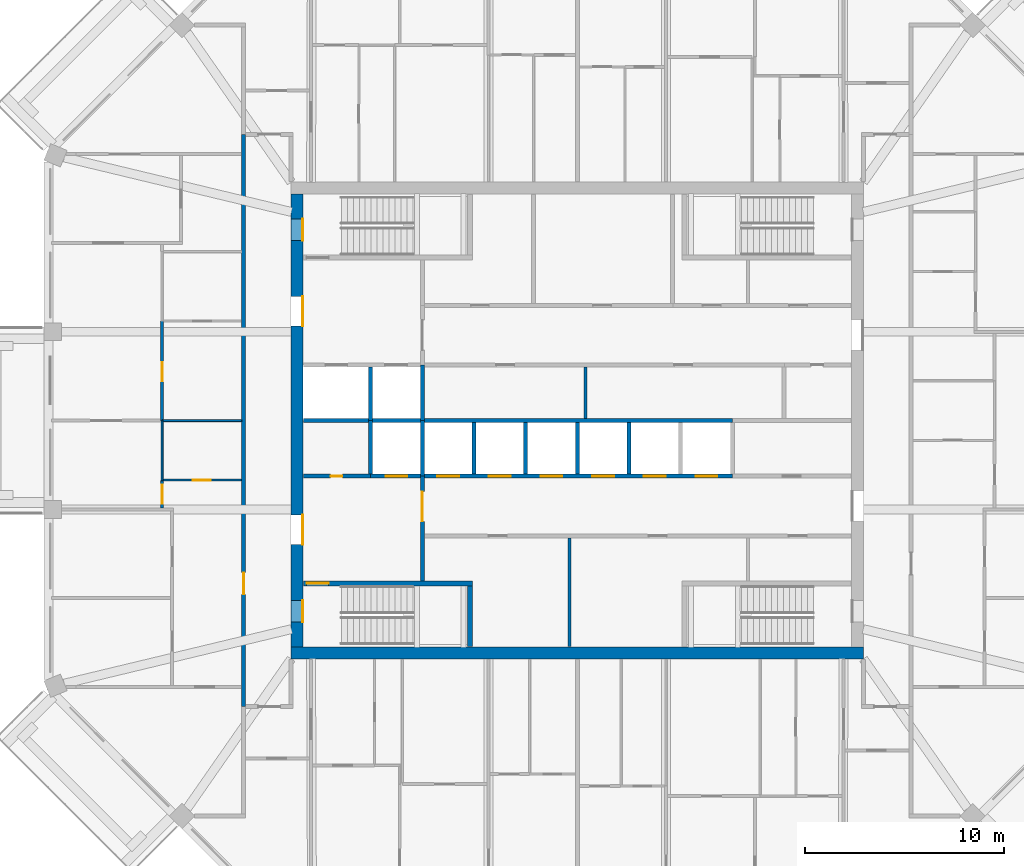
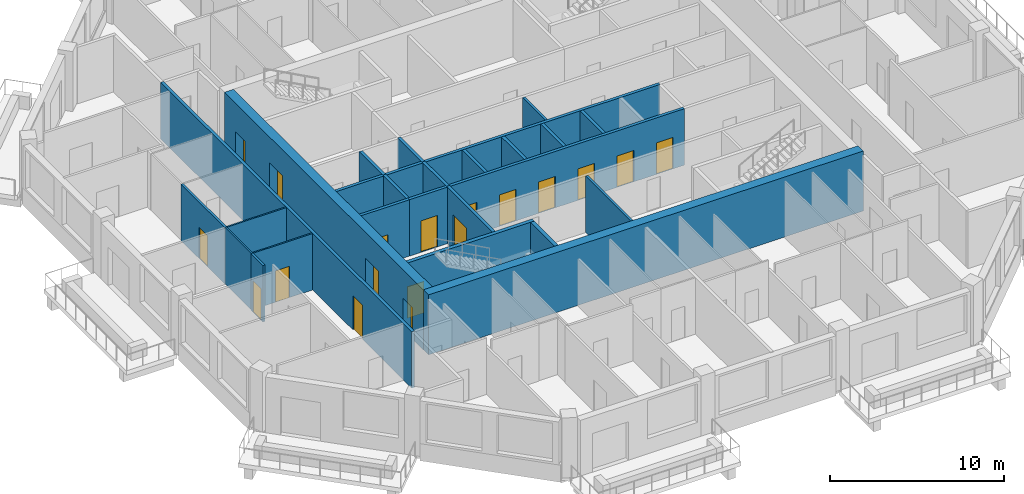
# One storey, part 4 of 13: 24 walls, 18 doors, 18 openings.
"""IFC4 building model written with IfcOpenShell, lengths in metres."""

from ifc_helpers import new_model, si_unit, direction, frame, frame_2d, origin, place, context, subcontext, project, spatial, rectangle, extrude, material, layer, layer_set, type_object, element, fill, save


model = new_model("IFC4")

# Units and contexts
model_context = context("Model", 3, precision=1e-05, world=origin(), true_north=direction((0.0, 1.0)))
body_context = subcontext(model_context, "Body", "Model", "MODEL_VIEW")
ifc_project = project(units=[si_unit("LENGTHUNIT", "METRE"), si_unit("AREAUNIT", "SQUARE_METRE"), si_unit("VOLUMEUNIT", "CUBIC_METRE"), si_unit("PLANEANGLEUNIT", "RADIAN"), si_unit("MASSUNIT", "GRAM", prefix="KILO")], contexts=[model_context])

# Site, building, storey
site_placement = place(None, origin())
site = spatial("IfcSite", under=ifc_project, at=site_placement, CompositionType="ELEMENT")
building_placement = place(site_placement, origin())
building = spatial("IfcBuilding", under=site, at=building_placement, Name="Msitu Wima Residences", CompositionType="ELEMENT")
storey_placement = place(building_placement, frame((0.0, 0.0, 285.300048828125)))
storey = spatial("IfcBuildingStorey", under=building, at=storey_placement, Name="L66", CompositionType="ELEMENT", Elevation=285.300048828125)

# Wall
ifc_material_1 = material(Name="Concrete C50/60", Category="concrete")
ifc_layer_1 = layer(ifc_material_1, 0.60009765625)
ifc_layer_set_1 = layer_set([ifc_layer_1], Name="Concrete C50/60")
wall_type_1 = type_object("IfcWallType", Name="Core wall CW600 C50/60", PredefinedType="SHEAR", material=ifc_layer_set_1)
wall_1_placement = place(storey_placement, frame((-14.39990234375, -11.699951171875, 0.0), z_axis=(0.0, 0.0, 1.0), x_axis=(1.0, 0.0, 0.0)))
element("IfcWall", 1, at=wall_1_placement, inside=storey, type_object=wall_type_1, Name="Core wall", PredefinedType="SHEAR", context=body_context, shape_type="SweptSolid", body=[
    extrude(rectangle(XDim=28.7998046875, YDim=0.60009765625, at=frame_2d((14.39990234375, 0.0))), origin(), (0.0, 0.0, 1.0), 4.199951171875),
])

# Wall, openings, doors
wall_2_placement = place(storey_placement, frame((-14.10009765625, -11.39990234375, 0.0), z_axis=(0.0, 0.0, 1.0), x_axis=(0.0, 1.0, 0.0)))
wall_2 = element("IfcWall", 2, at=wall_2_placement, inside=storey, type_object=wall_type_1, Name="Core wall", PredefinedType="SHEAR", context=body_context, shape_type="SweptSolid", body=[
    extrude(rectangle(XDim=22.7998046875, YDim=0.60009765625, at=frame_2d((11.39990234375, 0.0))), origin(), (0.0, 0.0, 1.0), 4.199951171875),
])
opening_1_placement = place(wall_2_placement, frame((20.449951171875, 0.0, 0.0)))
opening_1 = element("IfcOpeningElement", 3, at=opening_1_placement, cuts=wall_2, Name="Opening D65-67.092", PredefinedType="OPENING", context=body_context, shape_type="SweptSolid", body=[
    extrude(rectangle(XDim=1.10009765625, YDim=2.199951171875, at=frame_2d((0.550048828125, 1.10009765625))), frame((0.0, 0.31005859375, 0.0), z_axis=(0.0, -1.0, 0.0), x_axis=(1.0, 0.0, 0.0)), (0.0, 0.0, 1.0), 0.6201171875),
])
opening_2_placement = place(wall_2_placement, frame((1.25, 0.0, 0.0)))
opening_2 = element("IfcOpeningElement", 4, at=opening_2_placement, cuts=wall_2, Name="Opening D65-67.094", PredefinedType="OPENING", context=body_context, shape_type="SweptSolid", body=[
    extrude(rectangle(XDim=1.10009765625, YDim=2.199951171875, at=frame_2d((0.550048828125, 1.10009765625))), frame((0.0, 0.31005859375, 0.0), z_axis=(0.0, -1.0, 0.0), x_axis=(1.0, 0.0, 0.0)), (0.0, 0.0, 1.0), 0.6201171875),
])
opening_3_placement = place(wall_2_placement, frame((16.14990234375, 0.0, 0.0)))
opening_3 = element("IfcOpeningElement", 5, at=opening_3_placement, cuts=wall_2, Name="Opening D65-67.075", PredefinedType="OPENING", context=body_context, shape_type="SweptSolid", body=[
    extrude(rectangle(XDim=1.5, YDim=2.39990234375, at=frame_2d((0.75, 1.199951171875))), frame((0.0, 0.31005859375, 0.0), z_axis=(0.0, -1.0, 0.0), x_axis=(1.0, 0.0, 0.0)), (0.0, 0.0, 1.0), 0.6201171875),
])
opening_4_placement = place(wall_2_placement, frame((5.14990234375, 0.0, 0.0)))
opening_4 = element("IfcOpeningElement", 6, at=opening_4_placement, cuts=wall_2, Name="Opening D65-67.077", PredefinedType="OPENING", context=body_context, shape_type="SweptSolid", body=[
    extrude(rectangle(XDim=1.5, YDim=2.39990234375, at=frame_2d((0.75, 1.199951171875))), frame((0.0, 0.31005859375, 0.0), z_axis=(0.0, -1.0, 0.0), x_axis=(1.0, 0.0, 0.0)), (0.0, 0.0, 1.0), 0.6201171875),
])
ifc_material_2 = material(Name="Steel framed glazed door, fire resisting", Category="steel")
door_type_1 = type_object("IfcDoorType", Name="Lobby door D07 1500x2400", OperationType="DOUBLE_DOOR_SINGLE_SWING", PredefinedType="DOOR", material=ifc_material_2)
door_1_placement = place(opening_3_placement, origin())
door_1 = element("IfcDoor", 7, at=door_1_placement, inside=storey, type_object=door_type_1, Name="Lobby door", OperationType="DOUBLE_DOOR_SINGLE_SWING", OverallHeight=2.39990234375, OverallWidth=1.5, PredefinedType="DOOR", context=body_context, shape_type="SweptSolid", body=[
    extrude(rectangle(XDim=1.5, YDim=2.39990234375, at=frame_2d((0.75, 1.199951171875))), frame((0.0, -0.2451171875, 0.0), z_axis=(0.0, -1.0, 0.0), x_axis=(1.0, 0.0, 0.0)), (0.0, 0.0, 1.0), 0.050048828125),
])
fill(opening_3, door_1)
door_2_placement = place(opening_4_placement, origin())
door_2 = element("IfcDoor", 8, at=door_2_placement, inside=storey, type_object=door_type_1, Name="Lobby door", OperationType="DOUBLE_DOOR_SINGLE_SWING", OverallHeight=2.39990234375, OverallWidth=1.5, PredefinedType="DOOR", context=body_context, shape_type="SweptSolid", body=[
    extrude(rectangle(XDim=1.5, YDim=2.39990234375, at=frame_2d((0.75, 1.199951171875))), frame((0.0, -0.2451171875, 0.0), z_axis=(0.0, -1.0, 0.0), x_axis=(1.0, 0.0, 0.0)), (0.0, 0.0, 1.0), 0.050048828125),
])
fill(opening_4, door_2)
ifc_material_3 = material(Name="Steel door, fire resisting, panic bar", Category="steel")
door_type_2 = type_object("IfcDoorType", Name="Stair door D06 1100x2200", OperationType="SINGLE_SWING_LEFT", PredefinedType="DOOR", material=ifc_material_3)
door_3_placement = place(opening_1_placement, origin())
door_3 = element("IfcDoor", 9, at=door_3_placement, inside=storey, type_object=door_type_2, Name="Stair door", OperationType="SINGLE_SWING_RIGHT", OverallHeight=2.199951171875, OverallWidth=1.10009765625, PredefinedType="DOOR", context=body_context, shape_type="SweptSolid", body=[
    extrude(rectangle(XDim=1.10009765625, YDim=2.199951171875, at=frame_2d((0.550048828125, 1.10009765625))), frame((0.0, -0.2451171875, 0.0), z_axis=(0.0, -1.0, 0.0), x_axis=(1.0, 0.0, 0.0)), (0.0, 0.0, 1.0), 0.050048828125),
])
fill(opening_1, door_3)
door_4_placement = place(opening_2_placement, origin())
door_4 = element("IfcDoor", 10, at=door_4_placement, inside=storey, type_object=door_type_2, Name="Stair door", OperationType="SINGLE_SWING_LEFT", OverallHeight=2.199951171875, OverallWidth=1.10009765625, PredefinedType="DOOR", context=body_context, shape_type="SweptSolid", body=[
    extrude(rectangle(XDim=1.10009765625, YDim=2.199951171875, at=frame_2d((0.550048828125, 1.10009765625))), frame((0.0, -0.2451171875, 0.0), z_axis=(0.0, -1.0, 0.0), x_axis=(1.0, 0.0, 0.0)), (0.0, 0.0, 1.0), 0.050048828125),
])
fill(opening_2, door_4)

# Wall, opening, door
ifc_material_4 = material(Name="Plaster")
ifc_layer_2 = layer(ifc_material_4, 0.011962890625, Name="Plaster")
ifc_material_5 = material(Name="Concrete blockwork", Category="masonry")
ifc_layer_3 = layer(ifc_material_5, 0.176025390625, Name="Concrete blockwork")
ifc_layer_4 = layer(ifc_material_4, 0.011962890625, Name="Plaster")
ifc_layer_set_2 = layer_set([ifc_layer_2, ifc_layer_3, ifc_layer_4], Name="Concrete blockwork")
wall_type_2 = type_object("IfcWallType", Name="Corridor wall FW200", PredefinedType="PARTITIONING", material=ifc_layer_set_2)
wall_3_placement = place(storey_placement, frame((-16.800048828125, -14.39990234375, 0.0), z_axis=(0.0, 0.0, 1.0), x_axis=(0.0, 1.0, 0.0)))
wall_3 = element("IfcWall", 11, at=wall_3_placement, inside=storey, type_object=wall_type_2, Name="Corridor wall", PredefinedType="PARTITIONING", context=body_context, shape_type="SweptSolid", body=[
    extrude(rectangle(XDim=28.7998046875, YDim=0.199951171875, at=frame_2d((14.39990234375, 0.0))), origin(), (0.0, 0.0, 1.0), 3.949951171875),
])
opening_5_placement = place(wall_3_placement, frame((5.64990234375, 0.0, 0.0)))
opening_5 = element("IfcOpeningElement", 12, at=opening_5_placement, cuts=wall_3, Name="Opening D65-67.042", PredefinedType="OPENING", context=body_context, shape_type="SweptSolid", body=[
    extrude(rectangle(XDim=1.10009765625, YDim=2.39990234375, at=frame_2d((0.550048828125, 1.199951171875))), frame((0.0, 0.10986328125, 0.0), z_axis=(0.0, -1.0, 0.0), x_axis=(1.0, 0.0, 0.0)), (0.0, 0.0, 1.0), 0.219970703125),
])
ifc_material_6 = material(Name="Timber flush door, fire resisting, self-closing", Category="wood")
door_type_3 = type_object("IfcDoorType", Name="Flat entrance door D01 1100x2400", OperationType="SINGLE_SWING_LEFT", PredefinedType="DOOR", material=ifc_material_6)
door_5_placement = place(opening_5_placement, origin())
door_5 = element("IfcDoor", 13, at=door_5_placement, inside=storey, type_object=door_type_3, Name="Flat entrance door", OperationType="SINGLE_SWING_LEFT", OverallHeight=2.39990234375, OverallWidth=1.10009765625, PredefinedType="DOOR", context=body_context, shape_type="SweptSolid", body=[
    extrude(rectangle(XDim=1.10009765625, YDim=2.39990234375, at=frame_2d((0.550048828125, 1.199951171875))), frame((0.0, 0.02490234375, 0.0), z_axis=(0.0, -1.0, 0.0), x_axis=(1.0, 0.0, 0.0)), (0.0, 0.0, 1.0), 0.050048828125),
])
fill(opening_5, door_5)

wall_4_placement = place(storey_placement, frame((-7.800048828125, -8.074951171875, 0.0), z_axis=(0.0, 0.0, 1.0), x_axis=(0.0, 1.0, 0.0)))
wall_4 = element("IfcWall", 14, at=wall_4_placement, inside=storey, type_object=wall_type_2, Name="Corridor wall", PredefinedType="PARTITIONING", context=body_context, shape_type="SweptSolid", body=[
    extrude(rectangle(XDim=5.27490234375, YDim=0.199951171875, at=frame_2d((2.637451171875, 0.0))), origin(), (0.0, 0.0, 1.0), 3.949951171875),
])
opening_6_placement = place(wall_4_placement, frame((3.0, 0.0, 0.0)))
opening_6 = element("IfcOpeningElement", 15, at=opening_6_placement, cuts=wall_4, Name="Opening D65-67.078", PredefinedType="OPENING", context=body_context, shape_type="SweptSolid", body=[
    extrude(rectangle(XDim=1.5, YDim=2.39990234375, at=frame_2d((0.75, 1.199951171875))), frame((0.0, 0.10986328125, 0.0), z_axis=(0.0, -1.0, 0.0), x_axis=(1.0, 0.0, 0.0)), (0.0, 0.0, 1.0), 0.219970703125),
])
door_6_placement = place(opening_6_placement, origin())
door_6 = element("IfcDoor", 16, at=door_6_placement, inside=storey, type_object=door_type_1, Name="Lobby door", OperationType="DOUBLE_DOOR_SINGLE_SWING", OverallHeight=2.39990234375, OverallWidth=1.5, PredefinedType="DOOR", context=body_context, shape_type="SweptSolid", body=[
    extrude(rectangle(XDim=1.5, YDim=2.39990234375, at=frame_2d((0.75, 1.199951171875))), frame((0.0, 0.02490234375, 0.0), z_axis=(0.0, -1.0, 0.0), x_axis=(1.0, 0.0, 0.0)), (0.0, 0.0, 1.0), 0.050048828125),
])
fill(opening_6, door_6)

ifc_layer_5 = layer(ifc_material_4, 0.011962890625, Name="Plaster")
ifc_layer_6 = layer(ifc_material_5, 0.1259765625, Name="Concrete blockwork")
ifc_layer_7 = layer(ifc_material_4, 0.011962890625, Name="Plaster")
ifc_layer_set_3 = layer_set([ifc_layer_5, ifc_layer_6, ifc_layer_7], Name="Concrete blockwork")
wall_type_3 = type_object("IfcWallType", Name="Partition PW150", PredefinedType="PARTITIONING", material=ifc_layer_set_3)
wall_5_placement = place(storey_placement, frame((-20.89990234375, -4.3935546875, 0.0), z_axis=(0.0, 0.0, 1.0), x_axis=(0.0, 1.0, 0.0)))
wall_5 = element("IfcWall", 17, at=wall_5_placement, inside=storey, type_object=wall_type_3, Name="Partition", PredefinedType="PARTITIONING", context=body_context, shape_type="SweptSolid", body=[
    extrude(rectangle(XDim=1.37353515625, YDim=0.14990234375, at=frame_2d((0.686767578125, 0.0))), origin(), (0.0, 0.0, 1.0), 3.949951171875),
])
opening_7_placement = place(wall_5_placement, frame((0.199951171875, 0.0, 0.0)))
opening_7 = element("IfcOpeningElement", 18, at=opening_7_placement, cuts=wall_5, Name="Opening D65-67.049", PredefinedType="OPENING", context=body_context, shape_type="SweptSolid", body=[
    extrude(rectangle(XDim=0.949951171875, YDim=2.199951171875, at=frame_2d((0.47509765625, 1.10009765625))), frame((0.0, 0.0849609375, 0.0), z_axis=(0.0, -1.0, 0.0), x_axis=(1.0, 0.0, 0.0)), (0.0, 0.0, 1.0), 0.169921875),
])
ifc_material_7 = material(Name="Timber flush door", Category="wood")
door_type_4 = type_object("IfcDoorType", Name="Room door D12 950x2200", OperationType="SINGLE_SWING_LEFT", PredefinedType="DOOR", material=ifc_material_7)
door_7_placement = place(opening_7_placement, origin())
door_7 = element("IfcDoor", 19, at=door_7_placement, inside=storey, type_object=door_type_4, Name="Room door", OperationType="SINGLE_SWING_LEFT", OverallHeight=2.199951171875, OverallWidth=0.949951171875, PredefinedType="DOOR", context=body_context, shape_type="SweptSolid", body=[
    extrude(rectangle(XDim=0.949951171875, YDim=2.199951171875, at=frame_2d((0.47509765625, 1.10009765625))), frame((0.0, 0.02490234375, 0.0), z_axis=(0.0, -1.0, 0.0), x_axis=(1.0, 0.0, 0.0)), (0.0, 0.0, 1.0), 0.050048828125),
])
fill(opening_7, door_7)

wall_6_placement = place(storey_placement, frame((-20.89990234375, -0.02001953125, 0.0), z_axis=(0.0, 0.0, 1.0), x_axis=(0.0, 1.0, 0.0)))
wall_6 = element("IfcWall", 20, at=wall_6_placement, inside=storey, type_object=wall_type_3, Name="Partition", PredefinedType="PARTITIONING", context=body_context, shape_type="SweptSolid", body=[
    extrude(rectangle(XDim=5.02001953125, YDim=0.14990234375, at=frame_2d((2.510009765625, 0.0))), origin(), (0.0, 0.0, 1.0), 3.949951171875),
])
opening_8_placement = place(wall_6_placement, frame((2.0, 0.0, 0.0)))
opening_8 = element("IfcOpeningElement", 21, at=opening_8_placement, cuts=wall_6, Name="Opening D65-67.053", PredefinedType="OPENING", context=body_context, shape_type="SweptSolid", body=[
    extrude(rectangle(XDim=0.949951171875, YDim=2.199951171875, at=frame_2d((0.47509765625, 1.10009765625))), frame((0.0, 0.0849609375, 0.0), z_axis=(0.0, -1.0, 0.0), x_axis=(1.0, 0.0, 0.0)), (0.0, 0.0, 1.0), 0.169921875),
])
door_8_placement = place(opening_8_placement, origin())
door_8 = element("IfcDoor", 22, at=door_8_placement, inside=storey, type_object=door_type_4, Name="Room door", OperationType="SINGLE_SWING_LEFT", OverallHeight=2.199951171875, OverallWidth=0.949951171875, PredefinedType="DOOR", context=body_context, shape_type="SweptSolid", body=[
    extrude(rectangle(XDim=0.949951171875, YDim=2.199951171875, at=frame_2d((0.47509765625, 1.10009765625))), frame((0.0, 0.02490234375, 0.0), z_axis=(0.0, -1.0, 0.0), x_axis=(1.0, 0.0, 0.0)), (0.0, 0.0, 1.0), 0.050048828125),
])
fill(opening_8, door_8)

# Walls
wall_7_placement = place(storey_placement, frame((-0.39990234375, -11.3701171875, 0.0), z_axis=(0.0, 0.0, 1.0), x_axis=(0.0, 1.0, 0.0)))
element("IfcWall", 23, at=wall_7_placement, inside=storey, type_object=wall_type_3, Name="Partition", PredefinedType="PARTITIONING", context=body_context, shape_type="SweptSolid", body=[
    extrude(rectangle(XDim=5.47021484375, YDim=0.14990234375, at=frame_2d((2.735107421875, 0.0))), origin(), (0.0, 0.0, 1.0), 3.949951171875),
])
wall_8_placement = place(storey_placement, frame((0.39990234375, 0.10009765625, 0.0), z_axis=(0.0, 0.0, 1.0), x_axis=(0.0, 1.0, 0.0)))
element("IfcWall", 24, at=wall_8_placement, inside=storey, type_object=wall_type_3, Name="Partition", PredefinedType="PARTITIONING", context=body_context, shape_type="SweptSolid", body=[
    extrude(rectangle(XDim=2.599853515625, YDim=0.14990234375, at=frame_2d((1.2998046875, 0.0))), origin(), (0.0, 0.0, 1.0), 3.949951171875),
])

# Wall, opening, door
ifc_layer_8 = layer(ifc_material_4, 0.011962890625, Name="Plaster")
ifc_material_8 = material(Name="Reinforced concrete blockwork", Category="masonry")
ifc_layer_9 = layer(ifc_material_8, 0.176025390625, Name="Reinforced concrete blockwork")
ifc_layer_10 = layer(ifc_material_4, 0.011962890625, Name="Plaster")
ifc_layer_set_4 = layer_set([ifc_layer_8, ifc_layer_9, ifc_layer_10], Name="Reinforced concrete blockwork")
wall_type_4 = type_object("IfcWallType", Name="Plant and riser wall PL200", PredefinedType="PARTITIONING", material=ifc_layer_set_4)
wall_9_placement = place(storey_placement, frame((-13.77001953125, -2.800048828125, 0.0), z_axis=(0.0, 0.0, 1.0), x_axis=(1.0, 0.0, 0.0)))
wall_9 = element("IfcWall", 25, at=wall_9_placement, inside=storey, type_object=wall_type_4, Name="Plant and riser wall", PredefinedType="PARTITIONING", context=body_context, shape_type="SweptSolid", body=[
    extrude(rectangle(XDim=3.3701171875, YDim=0.199951171875, at=frame_2d((1.68505859375, 0.0))), origin(), (0.0, 0.0, 1.0), 3.949951171875),
])
opening_9_placement = place(wall_9_placement, frame((1.35009765625, 0.0, 0.0)))
opening_9 = element("IfcOpeningElement", 26, at=opening_9_placement, cuts=wall_9, Name="Opening D65-67.091", PredefinedType="OPENING", context=body_context, shape_type="SweptSolid", body=[
    extrude(rectangle(XDim=0.60009765625, YDim=2.0, at=frame_2d((0.300048828125, 1.0))), frame((0.0, 0.10986328125, 0.0), z_axis=(0.0, -1.0, 0.0), x_axis=(1.0, 0.0, 0.0)), (0.0, 0.0, 1.0), 0.219970703125),
])
ifc_material_9 = material(Name="Steel access door, fire resisting", Category="steel")
door_type_5 = type_object("IfcDoorType", Name="Riser access door D08 600x2000", OperationType="SINGLE_SWING_LEFT", PredefinedType="DOOR", material=ifc_material_9)
door_9_placement = place(opening_9_placement, origin())
door_9 = element("IfcDoor", 27, at=door_9_placement, inside=storey, type_object=door_type_5, Name="Riser access door", OperationType="SINGLE_SWING_RIGHT", OverallHeight=2.0, OverallWidth=0.60009765625, PredefinedType="DOOR", context=body_context, shape_type="SweptSolid", body=[
    extrude(rectangle(XDim=0.60009765625, YDim=2.0, at=frame_2d((0.300048828125, 1.0))), frame((0.0, 0.02490234375, 0.0), z_axis=(0.0, -1.0, 0.0), x_axis=(1.0, 0.0, 0.0)), (0.0, 0.0, 1.0), 0.050048828125),
])
fill(opening_9, door_9)

# Walls
ifc_material_10 = material(Name="Fire-rated board")
ifc_layer_11 = layer(ifc_material_10, 0.02490234375, Name="Fire-rated board")
ifc_material_11 = material(Name="Light-gauge stud framing with mineral wool")
ifc_layer_12 = layer(ifc_material_11, 0.14990234375, Name="Light-gauge stud framing with mineral wool")
ifc_layer_13 = layer(ifc_material_10, 0.02490234375, Name="Fire-rated board")
ifc_layer_set_5 = layer_set([ifc_layer_11, ifc_layer_12, ifc_layer_13], Name="Light-gauge stud framing with mineral wool")
wall_type_5 = type_object("IfcWallType", Name="Shaft wall SH200", PredefinedType="PARTITIONING", material=ifc_layer_set_5)
wall_10_placement = place(storey_placement, frame((-13.77001953125, 0.0, 0.0), z_axis=(0.0, 0.0, 1.0), x_axis=(1.0, 0.0, 0.0)))
element("IfcWall", 28, at=wall_10_placement, inside=storey, type_object=wall_type_5, Name="Shaft wall", PredefinedType="PARTITIONING", context=body_context, shape_type="SweptSolid", body=[
    extrude(rectangle(XDim=21.570068359375, YDim=0.199951171875, at=frame_2d((10.78515625, 0.0))), origin(), (0.0, 0.0, 1.0), 3.949951171875),
])
wall_11_placement = place(storey_placement, frame((-10.39990234375, -2.699951171875, 0.0), z_axis=(0.0, 0.0, 1.0), x_axis=(0.0, 1.0, 0.0)))
element("IfcWall", 29, at=wall_11_placement, inside=storey, type_object=wall_type_5, Name="Shaft wall", PredefinedType="PARTITIONING", context=body_context, shape_type="SweptSolid", body=[
    extrude(rectangle(XDim=2.699951171875, YDim=0.199951171875, at=frame_2d((1.35009765625, 0.0))), origin(), (0.0, 0.0, 1.0), 3.949951171875),
])

# Wall, openings, doors
wall_12_placement = place(storey_placement, frame((-10.39990234375, -2.800048828125, 0.0), z_axis=(0.0, 0.0, 1.0), x_axis=(1.0, 0.0, 0.0)))
wall_12 = element("IfcWall", 30, at=wall_12_placement, inside=storey, type_object=wall_type_5, Name="Shaft wall", PredefinedType="PARTITIONING", context=body_context, shape_type="SweptSolid", body=[
    extrude(rectangle(XDim=18.199951171875, YDim=0.199951171875, at=frame_2d((9.10009765625, 0.0))), origin(), (0.0, 0.0, 1.0), 3.949951171875),
])
opening_10_placement = place(wall_12_placement, frame((0.75, 0.0, 0.0)))
opening_10 = element("IfcOpeningElement", 31, at=opening_10_placement, cuts=wall_12, Name="Opening LD", PredefinedType="OPENING", context=body_context, shape_type="SweptSolid", body=[
    extrude(rectangle(XDim=1.10009765625, YDim=2.199951171875, at=frame_2d((0.550048828125, 1.10009765625))), frame((0.0, 0.10986328125, 0.0), z_axis=(0.0, -1.0, 0.0), x_axis=(1.0, 0.0, 0.0)), (0.0, 0.0, 1.0), 0.219970703125),
])
opening_11_placement = place(wall_12_placement, frame((3.35009765625, 0.0, 0.0)))
opening_11 = element("IfcOpeningElement", 32, at=opening_11_placement, cuts=wall_12, Name="Opening LD", PredefinedType="OPENING", context=body_context, shape_type="SweptSolid", body=[
    extrude(rectangle(XDim=1.10009765625, YDim=2.199951171875, at=frame_2d((0.550048828125, 1.10009765625))), frame((0.0, 0.10986328125, 0.0), z_axis=(0.0, -1.0, 0.0), x_axis=(1.0, 0.0, 0.0)), (0.0, 0.0, 1.0), 0.219970703125),
])
opening_12_placement = place(wall_12_placement, frame((5.949951171875, 0.0, 0.0)))
opening_12 = element("IfcOpeningElement", 33, at=opening_12_placement, cuts=wall_12, Name="Opening LD", PredefinedType="OPENING", context=body_context, shape_type="SweptSolid", body=[
    extrude(rectangle(XDim=1.10009765625, YDim=2.199951171875, at=frame_2d((0.550048828125, 1.10009765625))), frame((0.0, 0.10986328125, 0.0), z_axis=(0.0, -1.0, 0.0), x_axis=(1.0, 0.0, 0.0)), (0.0, 0.0, 1.0), 0.219970703125),
])
opening_13_placement = place(wall_12_placement, frame((8.550048828125, 0.0, 0.0)))
opening_13 = element("IfcOpeningElement", 34, at=opening_13_placement, cuts=wall_12, Name="Opening LD", PredefinedType="OPENING", context=body_context, shape_type="SweptSolid", body=[
    extrude(rectangle(XDim=1.10009765625, YDim=2.199951171875, at=frame_2d((0.550048828125, 1.10009765625))), frame((0.0, 0.10986328125, 0.0), z_axis=(0.0, -1.0, 0.0), x_axis=(1.0, 0.0, 0.0)), (0.0, 0.0, 1.0), 0.219970703125),
])
opening_14_placement = place(wall_12_placement, frame((11.14990234375, 0.0, 0.0)))
opening_14 = element("IfcOpeningElement", 35, at=opening_14_placement, cuts=wall_12, Name="Opening LD", PredefinedType="OPENING", context=body_context, shape_type="SweptSolid", body=[
    extrude(rectangle(XDim=1.10009765625, YDim=2.199951171875, at=frame_2d((0.550048828125, 1.10009765625))), frame((0.0, 0.10986328125, 0.0), z_axis=(0.0, -1.0, 0.0), x_axis=(1.0, 0.0, 0.0)), (0.0, 0.0, 1.0), 0.219970703125),
])
opening_15_placement = place(wall_12_placement, frame((13.75, 0.0, 0.0)))
opening_15 = element("IfcOpeningElement", 36, at=opening_15_placement, cuts=wall_12, Name="Opening LD", PredefinedType="OPENING", context=body_context, shape_type="SweptSolid", body=[
    extrude(rectangle(XDim=1.10009765625, YDim=2.199951171875, at=frame_2d((0.550048828125, 1.10009765625))), frame((0.0, 0.10986328125, 0.0), z_axis=(0.0, -1.0, 0.0), x_axis=(1.0, 0.0, 0.0)), (0.0, 0.0, 1.0), 0.219970703125),
])
opening_16_placement = place(wall_12_placement, frame((16.35009765625, 0.0, 0.0)))
opening_16 = element("IfcOpeningElement", 37, at=opening_16_placement, cuts=wall_12, Name="Opening LD", PredefinedType="OPENING", context=body_context, shape_type="SweptSolid", body=[
    extrude(rectangle(XDim=1.10009765625, YDim=2.199951171875, at=frame_2d((0.550048828125, 1.10009765625))), frame((0.0, 0.10986328125, 0.0), z_axis=(0.0, -1.0, 0.0), x_axis=(1.0, 0.0, 0.0)), (0.0, 0.0, 1.0), 0.219970703125),
])
ifc_material_12 = material(Name="Stainless steel centre-opening landing door, rated", Category="steel")
door_type_6 = type_object("IfcDoorType", Name="Lift landing door LD 1100x2200", OperationType="DOUBLE_DOOR_SLIDING", PredefinedType="DOOR", material=ifc_material_12)
door_10_placement = place(opening_10_placement, origin())
door_10 = element("IfcDoor", 38, at=door_10_placement, inside=storey, type_object=door_type_6, Name="Lift landing door LD3", OperationType="DOUBLE_DOOR_SLIDING", OverallHeight=2.199951171875, OverallWidth=1.10009765625, PredefinedType="DOOR", context=body_context, shape_type="SweptSolid", body=[
    extrude(rectangle(XDim=1.10009765625, YDim=2.199951171875, at=frame_2d((0.550048828125, 1.10009765625))), frame((0.0, 0.02490234375, 0.0), z_axis=(0.0, -1.0, 0.0), x_axis=(1.0, 0.0, 0.0)), (0.0, 0.0, 1.0), 0.050048828125),
])
fill(opening_10, door_10)
door_11_placement = place(opening_11_placement, origin())
door_11 = element("IfcDoor", 39, at=door_11_placement, inside=storey, type_object=door_type_6, Name="Lift landing door LD5", OperationType="DOUBLE_DOOR_SLIDING", OverallHeight=2.199951171875, OverallWidth=1.10009765625, PredefinedType="DOOR", context=body_context, shape_type="SweptSolid", body=[
    extrude(rectangle(XDim=1.10009765625, YDim=2.199951171875, at=frame_2d((0.550048828125, 1.10009765625))), frame((0.0, 0.02490234375, 0.0), z_axis=(0.0, -1.0, 0.0), x_axis=(1.0, 0.0, 0.0)), (0.0, 0.0, 1.0), 0.050048828125),
])
fill(opening_11, door_11)
door_12_placement = place(opening_12_placement, origin())
door_12 = element("IfcDoor", 40, at=door_12_placement, inside=storey, type_object=door_type_6, Name="Lift landing door LD7", OperationType="DOUBLE_DOOR_SLIDING", OverallHeight=2.199951171875, OverallWidth=1.10009765625, PredefinedType="DOOR", context=body_context, shape_type="SweptSolid", body=[
    extrude(rectangle(XDim=1.10009765625, YDim=2.199951171875, at=frame_2d((0.550048828125, 1.10009765625))), frame((0.0, 0.02490234375, 0.0), z_axis=(0.0, -1.0, 0.0), x_axis=(1.0, 0.0, 0.0)), (0.0, 0.0, 1.0), 0.050048828125),
])
fill(opening_12, door_12)
door_13_placement = place(opening_13_placement, origin())
door_13 = element("IfcDoor", 41, at=door_13_placement, inside=storey, type_object=door_type_6, Name="Lift landing door LD9", OperationType="DOUBLE_DOOR_SLIDING", OverallHeight=2.199951171875, OverallWidth=1.10009765625, PredefinedType="DOOR", context=body_context, shape_type="SweptSolid", body=[
    extrude(rectangle(XDim=1.10009765625, YDim=2.199951171875, at=frame_2d((0.550048828125, 1.10009765625))), frame((0.0, 0.02490234375, 0.0), z_axis=(0.0, -1.0, 0.0), x_axis=(1.0, 0.0, 0.0)), (0.0, 0.0, 1.0), 0.050048828125),
])
fill(opening_13, door_13)
door_14_placement = place(opening_14_placement, origin())
door_14 = element("IfcDoor", 42, at=door_14_placement, inside=storey, type_object=door_type_6, Name="Lift landing door LD11", OperationType="DOUBLE_DOOR_SLIDING", OverallHeight=2.199951171875, OverallWidth=1.10009765625, PredefinedType="DOOR", context=body_context, shape_type="SweptSolid", body=[
    extrude(rectangle(XDim=1.10009765625, YDim=2.199951171875, at=frame_2d((0.550048828125, 1.10009765625))), frame((0.0, 0.02490234375, 0.0), z_axis=(0.0, -1.0, 0.0), x_axis=(1.0, 0.0, 0.0)), (0.0, 0.0, 1.0), 0.050048828125),
])
fill(opening_14, door_14)
door_15_placement = place(opening_15_placement, origin())
door_15 = element("IfcDoor", 43, at=door_15_placement, inside=storey, type_object=door_type_6, Name="Lift landing door LD13", OperationType="DOUBLE_DOOR_SLIDING", OverallHeight=2.199951171875, OverallWidth=1.10009765625, PredefinedType="DOOR", context=body_context, shape_type="SweptSolid", body=[
    extrude(rectangle(XDim=1.10009765625, YDim=2.199951171875, at=frame_2d((0.550048828125, 1.10009765625))), frame((0.0, 0.02490234375, 0.0), z_axis=(0.0, -1.0, 0.0), x_axis=(1.0, 0.0, 0.0)), (0.0, 0.0, 1.0), 0.050048828125),
])
fill(opening_15, door_15)
door_16_placement = place(opening_16_placement, origin())
door_16 = element("IfcDoor", 44, at=door_16_placement, inside=storey, type_object=door_type_6, Name="Lift landing door LD15", OperationType="DOUBLE_DOOR_SLIDING", OverallHeight=2.199951171875, OverallWidth=1.10009765625, PredefinedType="DOOR", context=body_context, shape_type="SweptSolid", body=[
    extrude(rectangle(XDim=1.10009765625, YDim=2.199951171875, at=frame_2d((0.550048828125, 1.10009765625))), frame((0.0, 0.02490234375, 0.0), z_axis=(0.0, -1.0, 0.0), x_axis=(1.0, 0.0, 0.0)), (0.0, 0.0, 1.0), 0.050048828125),
])
fill(opening_16, door_16)

# Walls
wall_13_placement = place(storey_placement, frame((-10.39990234375, 0.0, 0.0), z_axis=(0.0, 0.0, 1.0), x_axis=(0.0, 1.0, 0.0)))
element("IfcWall", 45, at=wall_13_placement, inside=storey, type_object=wall_type_5, Name="Shaft wall", PredefinedType="PARTITIONING", context=body_context, shape_type="SweptSolid", body=[
    extrude(rectangle(XDim=2.699951171875, YDim=0.199951171875, at=frame_2d((1.35009765625, 0.0))), origin(), (0.0, 0.0, 1.0), 3.949951171875),
])
for number, where, z_axis, x_axis, name in (
    (46, (-7.800048828125, -2.800048828125, 0.0), (0.0, 0.0, 1.0), (0.0, 1.0, 0.0), "Shaft wall"),
    (47, (-7.800048828125, 0.0, 0.0), (0.0, 0.0, 1.0), (0.0, 1.0, 0.0), "Shaft wall"),
):
    element("IfcWall", number, at=place(storey_placement, frame(where, z_axis=z_axis, x_axis=x_axis)), inside=storey, type_object=wall_type_5, Name=name, PredefinedType="PARTITIONING", context=body_context, shape_type="SweptSolid", body=[
        extrude(rectangle(XDim=2.800048828125, YDim=0.199951171875, at=frame_2d((1.39990234375, 0.0))), origin(), (0.0, 0.0, 1.0), 3.949951171875),
    ])
for number, where, z_axis, x_axis, name in (
    (48, (-5.199951171875, -2.699951171875, 0.0), (0.0, 0.0, 1.0), (0.0, 1.0, 0.0), "Shaft wall"),
    (49, (-2.60009765625, -2.699951171875, 0.0), (0.0, 0.0, 1.0), (0.0, 1.0, 0.0), "Shaft wall"),
    (50, (0.0, -2.699951171875, 0.0), (0.0, 0.0, 1.0), (0.0, 1.0, 0.0), "Shaft wall"),
    (51, (2.60009765625, -2.699951171875, 0.0), (0.0, 0.0, 1.0), (0.0, 1.0, 0.0), "Shaft wall"),
):
    element("IfcWall", number, at=place(storey_placement, frame(where, z_axis=z_axis, x_axis=x_axis)), inside=storey, type_object=wall_type_5, Name=name, PredefinedType="PARTITIONING", context=body_context, shape_type="SweptSolid", body=[
        extrude(rectangle(XDim=2.599853515625, YDim=0.199951171875, at=frame_2d((1.2998046875, 0.0))), origin(), (0.0, 0.0, 1.0), 3.949951171875),
    ])

# Wall, opening, door
ifc_layer_14 = layer(ifc_material_1, 0.25)
ifc_layer_set_6 = layer_set([ifc_layer_14], Name="Concrete C50/60")
wall_type_6 = type_object("IfcWallType", Name="Stair enclosure wall SW250", PredefinedType="SHEAR", material=ifc_layer_set_6)
wall_14_placement = place(storey_placement, frame((-13.77001953125, -8.199951171875, 0.0), z_axis=(0.0, 0.0, 1.0), x_axis=(1.0, 0.0, 0.0)))
wall_14 = element("IfcWall", 52, at=wall_14_placement, inside=storey, type_object=wall_type_6, Name="Stair enclosure wall", PredefinedType="SHEAR", context=body_context, shape_type="SweptSolid", body=[
    extrude(rectangle(XDim=8.4951171875, YDim=0.25, at=frame_2d((4.24755859375, 0.0))), origin(), (0.0, 0.0, 1.0), 3.949951171875),
])
opening_17_placement = place(wall_14_placement, frame((0.14990234375, 0.0, 0.0)))
opening_17 = element("IfcOpeningElement", 53, at=opening_17_placement, cuts=wall_14, Name="Opening D65-67.095", PredefinedType="OPENING", context=body_context, shape_type="SweptSolid", body=[
    extrude(rectangle(XDim=1.10009765625, YDim=2.199951171875, at=frame_2d((0.550048828125, 1.10009765625))), frame((0.0, 0.135009765625, 0.0), z_axis=(0.0, -1.0, 0.0), x_axis=(1.0, 0.0, 0.0)), (0.0, 0.0, 1.0), 0.27001953125),
])
door_17_placement = place(opening_17_placement, origin())
door_17 = element("IfcDoor", 54, at=door_17_placement, inside=storey, type_object=door_type_2, Name="Stair door", OperationType="SINGLE_SWING_RIGHT", OverallHeight=2.199951171875, OverallWidth=1.10009765625, PredefinedType="DOOR", context=body_context, shape_type="SweptSolid", body=[
    extrude(rectangle(XDim=1.10009765625, YDim=2.199951171875, at=frame_2d((0.550048828125, 1.10009765625))), frame((0.0, 0.02490234375, 0.0), z_axis=(0.0, -1.0, 0.0), x_axis=(1.0, 0.0, 0.0)), (0.0, 0.0, 1.0), 0.050048828125),
])
fill(opening_17, door_17)

# Walls
wall_15_placement = place(storey_placement, frame((-5.39990234375, -11.3701171875, 0.0), z_axis=(0.0, 0.0, 1.0), x_axis=(0.0, 1.0, 0.0)))
element("IfcWall", 55, at=wall_15_placement, inside=storey, type_object=wall_type_6, Name="Stair enclosure wall", PredefinedType="SHEAR", context=body_context, shape_type="SweptSolid", body=[
    extrude(rectangle(XDim=3.045166015625, YDim=0.25, at=frame_2d((1.5224609375, 0.0))), origin(), (0.0, 0.0, 1.0), 3.949951171875),
])
ifc_material_13 = material(Name="Ceramic tiles")
ifc_layer_15 = layer(ifc_material_13, 0.008056640625, Name="Ceramic tiles")
ifc_material_14 = material(Name="Moisture-resistant board")
ifc_layer_16 = layer(ifc_material_14, 0.012451171875, Name="Moisture-resistant board")
ifc_layer_17 = layer(ifc_material_11, 0.06689453125, Name="Light-gauge stud framing with mineral wool")
ifc_layer_18 = layer(ifc_material_14, 0.012451171875, Name="Moisture-resistant board")
ifc_layer_set_7 = layer_set([ifc_layer_15, ifc_layer_16, ifc_layer_17, ifc_layer_18], Name="Light-gauge stud framing with mineral wool")
wall_type_7 = type_object("IfcWallType", Name="Wet wall PW100", PredefinedType="PARTITIONING", material=ifc_layer_set_7)
wall_16_placement = place(storey_placement, frame((-20.89990234375, -3.02001953125, 0.0), z_axis=(0.0, 0.0, 1.0), x_axis=(0.0, 1.0, 0.0)))
element("IfcWall", 56, at=wall_16_placement, inside=storey, type_object=wall_type_7, Name="Wet wall", PredefinedType="PARTITIONING", context=body_context, shape_type="SweptSolid", body=[
    extrude(rectangle(XDim=3.0, YDim=0.10009765625, at=frame_2d((1.5, 0.0))), origin(), (0.0, 0.0, 1.0), 3.949951171875),
])

# Wall, opening, door
wall_17_placement = place(storey_placement, frame((-20.85009765625, -3.0, 0.0), z_axis=(0.0, 0.0, 1.0), x_axis=(1.0, 0.0, 0.0)))
wall_17 = element("IfcWall", 57, at=wall_17_placement, inside=storey, type_object=wall_type_7, Name="Wet wall", PredefinedType="PARTITIONING", context=body_context, shape_type="SweptSolid", body=[
    extrude(rectangle(XDim=3.9501953125, YDim=0.10009765625, at=frame_2d((1.97509765625, 0.0))), origin(), (0.0, 0.0, 1.0), 3.949951171875),
])
opening_18_placement = place(wall_17_placement, frame((1.5, 0.0, 0.0)))
opening_18 = element("IfcOpeningElement", 58, at=opening_18_placement, cuts=wall_17, Name="Opening D65-67.046", PredefinedType="OPENING", context=body_context, shape_type="SweptSolid", body=[
    extrude(rectangle(XDim=0.89990234375, YDim=2.199951171875, at=frame_2d((0.449951171875, 1.10009765625))), frame((0.0, 0.06005859375, 0.0), z_axis=(0.0, -1.0, 0.0), x_axis=(1.0, 0.0, 0.0)), (0.0, 0.0, 1.0), 0.1201171875),
])
ifc_material_15 = material(Name="Timber flush door, moisture resistant", Category="wood")
door_type_7 = type_object("IfcDoorType", Name="Bathroom door D03 900x2200", OperationType="SINGLE_SWING_LEFT", PredefinedType="DOOR", material=ifc_material_15)
door_18_placement = place(opening_18_placement, origin())
door_18 = element("IfcDoor", 59, at=door_18_placement, inside=storey, type_object=door_type_7, Name="Bathroom door", OperationType="SINGLE_SWING_LEFT", OverallHeight=2.199951171875, OverallWidth=0.89990234375, PredefinedType="DOOR", context=body_context, shape_type="SweptSolid", body=[
    extrude(rectangle(XDim=0.89990234375, YDim=2.199951171875, at=frame_2d((0.449951171875, 1.10009765625))), frame((0.0, 0.02490234375, 0.0), z_axis=(0.0, -1.0, 0.0), x_axis=(1.0, 0.0, 0.0)), (0.0, 0.0, 1.0), 0.050048828125),
])
fill(opening_18, door_18)

# Wall
wall_18_placement = place(storey_placement, frame((-20.8798828125, 0.0, 0.0), z_axis=(0.0, 0.0, 1.0), x_axis=(1.0, 0.0, 0.0)))
element("IfcWall", 60, at=wall_18_placement, inside=storey, type_object=wall_type_7, Name="Wet wall", PredefinedType="PARTITIONING", context=body_context, shape_type="SweptSolid", body=[
    extrude(rectangle(XDim=3.97998046875, YDim=0.10009765625, at=frame_2d((1.989990234375, 0.0))), origin(), (0.0, 0.0, 1.0), 3.949951171875),
])

save(model, "model.ifc")
